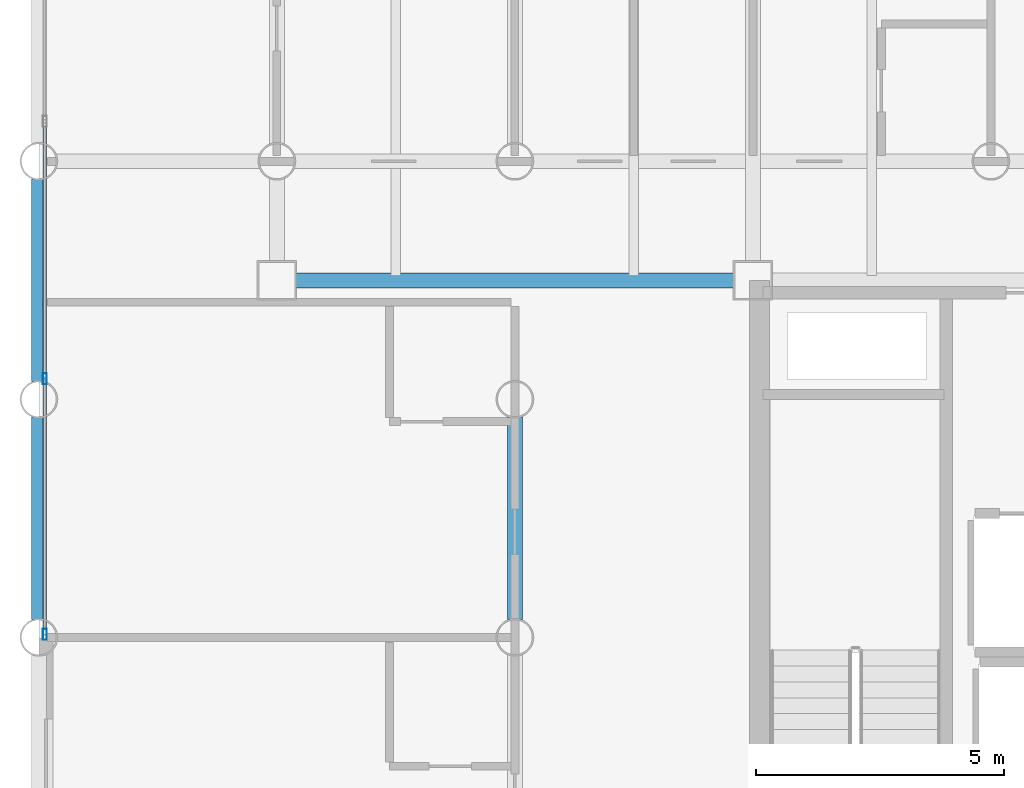
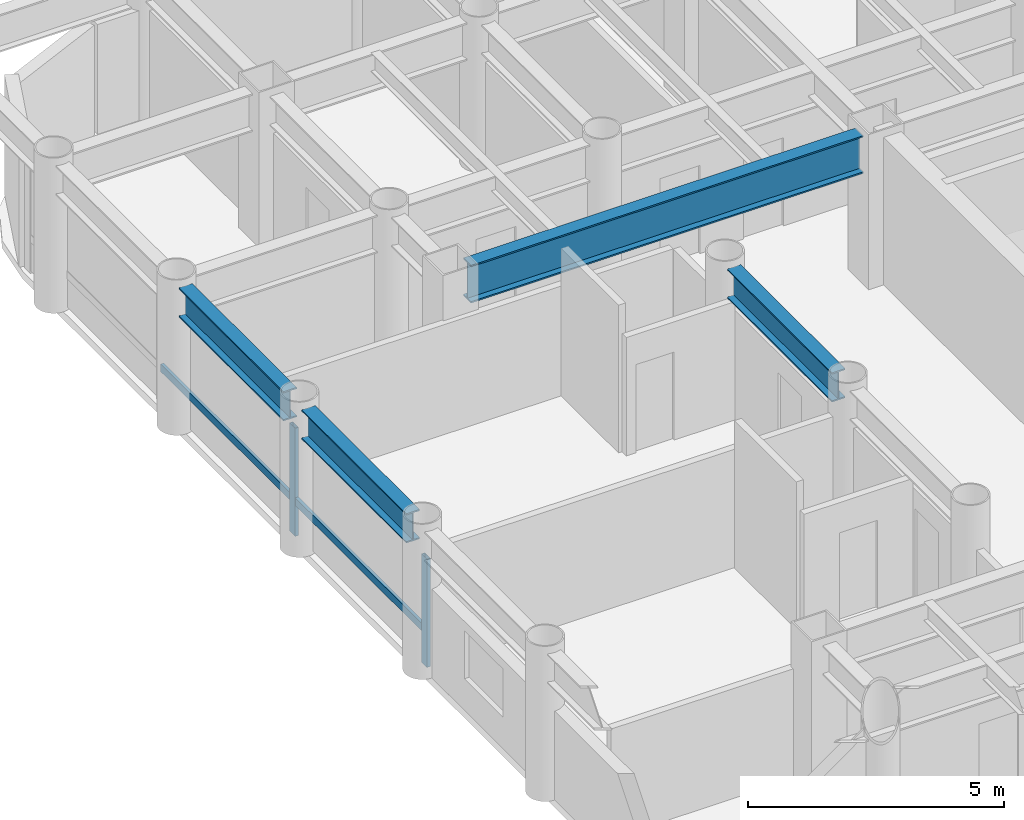
# One storey, part 4 of 20: 4 beams, 4 members, 1 element without a shape of its own.
"""IFC4 building model written with IfcOpenShell, lengths in metres."""

from ifc_helpers import new_model, si_unit, direction, frame, origin, origin_2d, place, context, subcontext, project, spatial, hollow_rectangle, i_section, extrude, material, layer, layer_set, material_profile, profile_set, type_object, element, aggregate, save


model = new_model("IFC4")

# Units and contexts
model_context = context("Model", 3, precision=1e-05, world=origin(), true_north=direction((0.0, 1.0)))
body_context = subcontext(model_context, "Body", "Model", "MODEL_VIEW")
ifc_project = project(units=[si_unit("LENGTHUNIT", "METRE"), si_unit("AREAUNIT", "SQUARE_METRE"), si_unit("VOLUMEUNIT", "CUBIC_METRE"), si_unit("PLANEANGLEUNIT", "RADIAN"), si_unit("MASSUNIT", "GRAM", prefix="KILO")], contexts=[model_context])

# Site, building, storey
site_placement = place(None, origin())
site = spatial("IfcSite", under=ifc_project, at=site_placement, CompositionType="ELEMENT")
building_placement = place(site_placement, origin())
building = spatial("IfcBuilding", under=site, at=building_placement, Name="Kallvorn Hotel Tower", CompositionType="ELEMENT")
storey_placement = place(building_placement, frame((0.0, 0.0, 74.39990234375)))
storey = spatial("IfcBuildingStorey", under=building, at=storey_placement, Name="L17", CompositionType="ELEMENT", Elevation=74.39990234375)

# Beams
ifc_material_1 = material(Name="Structural steel S355JR", Category="steel")
ifc_material_profile_1 = material_profile(ifc_material_1, i_section(OverallWidth=0.300048828125, OverallDepth=0.699951171875, WebThickness=0.01708984375, FlangeThickness=0.031982421875, at=origin_2d()), Name="HE 700 B")
ifc_profile_set_1 = profile_set([ifc_material_profile_1], Name="Structural steel S355JR")
beam_type_1 = type_object("IfcBeamType", Name="BM_HE700B", PredefinedType="BEAM", material=ifc_profile_set_1)
beam_1_placement = place(storey_placement, frame((-28.800048828125, 0.35595703125, 3.170166015625), z_axis=(0.0, 1.0, 0.0), x_axis=(-1.0, 0.0, 0.0)))
element("IfcBeam", 1, at=beam_1_placement, inside=storey, type_object=beam_type_1, Name="L18 Primary Y-Girder 77", PredefinedType="BEAM", context=body_context, shape_type="SweptSolid", body=[
    extrude(i_section(OverallWidth=0.300048828125, OverallDepth=0.699951171875, WebThickness=0.01708984375, FlangeThickness=0.031982421875, at=origin_2d()), origin(), (0.0, 0.0, 1.0), 4.088134765625),
])
beam_2_placement = place(storey_placement, frame((-28.800048828125, 5.156005859375, 3.170166015625), z_axis=(0.0, 1.0, 0.0), x_axis=(-1.0, 0.0, 0.0)))
element("IfcBeam", 2, at=beam_2_placement, inside=storey, type_object=beam_type_1, Name="L18 Primary Y-Girder 78", PredefinedType="BEAM", context=body_context, shape_type="SweptSolid", body=[
    extrude(i_section(OverallWidth=0.300048828125, OverallDepth=0.699951171875, WebThickness=0.01708984375, FlangeThickness=0.031982421875, at=origin_2d()), origin(), (0.0, 0.0, 1.0), 4.087890625),
])
beam_3_placement = place(storey_placement, frame((-19.199951171875, 0.35595703125, 3.170166015625), z_axis=(0.0, 1.0, 0.0), x_axis=(-1.0, 0.0, 0.0)))
element("IfcBeam", 3, at=beam_3_placement, inside=storey, type_object=beam_type_1, Name="L18 Primary Y-Girder 93", PredefinedType="BEAM", context=body_context, shape_type="SweptSolid", body=[
    extrude(i_section(OverallWidth=0.300048828125, OverallDepth=0.699951171875, WebThickness=0.01708984375, FlangeThickness=0.031982421875, at=origin_2d()), origin(), (0.0, 0.0, 1.0), 4.088134765625),
])
ifc_material_2 = material(Name="Structural steel S355JR", Category="steel")
ifc_material_profile_2 = material_profile(ifc_material_2, i_section(OverallWidth=0.300048828125, OverallDepth=0.89990234375, WebThickness=0.0185546875, FlangeThickness=0.034912109375, at=origin_2d()), Name="HE 900 B")
ifc_profile_set_2 = profile_set([ifc_material_profile_2], Name="Structural steel S355JR")
beam_type_2 = type_object("IfcBeamType", Name="BM_HE900B", PredefinedType="BEAM", material=ifc_profile_set_2)
beam_4_placement = place(storey_placement, frame((-23.625, 7.199951171875, 3.070068359375), z_axis=(1.0, 0.0, 0.0), x_axis=(0.0, 1.0, 0.0)))
element("IfcBeam", 4, at=beam_4_placement, inside=storey, type_object=beam_type_2, Name="L18 Primary X-Girder 37", PredefinedType="BEAM", context=body_context, shape_type="SweptSolid", body=[
    extrude(i_section(OverallWidth=0.300048828125, OverallDepth=0.89990234375, WebThickness=0.0185546875, FlangeThickness=0.034912109375, at=origin_2d()), origin(), (0.0, 0.0, 1.0), 8.85009765625),
])

# Curtain wall, members
ifc_material_3 = material(Name="Thermally broken black-anodised aluminium AA 6063-T6", Category="aluminium")
ifc_layer = layer(ifc_material_3, 0.199951171875)
ifc_layer_set = layer_set([ifc_layer], Name="CW_SYS_3_HOTEL_LOW")
curtain_wall_type = type_object("IfcCurtainWallType", Name="CW_SYS_3_HOTEL_LOW", PredefinedType="USERDEFINED", material=ifc_layer_set)
curtain_wall_placement = place(storey_placement, origin())
curtain_wall = element("IfcCurtainWall", 5, at=curtain_wall_placement, inside=storey, type_object=curtain_wall_type, Name="L17 Dark-Glass Curtain Wall CW-L17-WN", ObjectType="UNITISED CURTAIN WALL", PredefinedType="USERDEFINED")
ifc_material_4 = material(Name="Thermally broken black-anodised aluminium AA 6063-T6", Category="aluminium")
ifc_material_profile_3 = material_profile(ifc_material_4, hollow_rectangle(XDim=0.080078125, YDim=0.219970703125, WallThickness=0.0048828125, at=origin_2d()), Name="MUL 220x80")
ifc_profile_set_3 = profile_set([ifc_material_profile_3], Name="Thermally broken black-anodised aluminium AA 6063-T6")
member_type_1 = type_object("IfcMemberType", Name="CW_MULLION_220x80", PredefinedType="MULLION", material=ifc_profile_set_3)
member_1_placement = place(storey_placement, frame((-28.679931640625, 0.06005859375, 0.02001953125), z_axis=(0.0, 0.0, 1.0), x_axis=(1.0, 0.0, 0.0)))
member_1 = element("IfcMember", 6, at=member_1_placement, type_object=member_type_1, Name="CW-L17-WN Mullion 00", PredefinedType="MULLION", context=body_context, shape_type="SweptSolid", body=[
    extrude(hollow_rectangle(XDim=0.080078125, YDim=0.219970703125, WallThickness=0.0048828125, at=origin_2d()), origin(), (0.0, 0.0, 1.0), 2.580078125),
])
member_2_placement = place(storey_placement, frame((-28.679931640625, 5.21337890625, 0.02001953125), z_axis=(0.0, 0.0, 1.0), x_axis=(1.0, 0.0, 0.0)))
member_2 = element("IfcMember", 7, at=member_2_placement, type_object=member_type_1, Name="CW-L17-WN Mullion 01", PredefinedType="MULLION", context=body_context, shape_type="SweptSolid", body=[
    extrude(hollow_rectangle(XDim=0.080078125, YDim=0.219970703125, WallThickness=0.0048828125, at=origin_2d()), origin(), (0.0, 0.0, 1.0), 2.580078125),
])
ifc_material_5 = material(Name="Thermally broken black-anodised aluminium AA 6063-T6", Category="aluminium")
ifc_material_profile_4 = material_profile(ifc_material_5, hollow_rectangle(XDim=0.070068359375, YDim=0.179931640625, WallThickness=0.00390625, at=origin_2d()), Name="TRN 180x70")
ifc_profile_set_4 = profile_set([ifc_material_profile_4], Name="Thermally broken black-anodised aluminium AA 6063-T6")
member_type_2 = type_object("IfcMemberType", Name="CW_TRANSOM_180x70", PredefinedType="USERDEFINED", material=ifc_profile_set_4)
member_3_placement = place(storey_placement, frame((-28.679931640625, 0.06005859375, 0.85009765625), z_axis=(0.0, 1.0, 0.0), x_axis=(-1.0, 0.0, 0.0)))
member_3 = element("IfcMember", 8, at=member_3_placement, type_object=member_type_2, Name="CW-L17-WN Transom 00M", ObjectType="TRANSOM", PredefinedType="USERDEFINED", context=body_context, shape_type="SweptSolid", body=[
    extrude(hollow_rectangle(XDim=0.070068359375, YDim=0.179931640625, WallThickness=0.00390625, at=origin_2d()), origin(), (0.0, 0.0, 1.0), 5.11328125),
])
member_4_placement = place(storey_placement, frame((-28.679931640625, 5.25341796875, 0.85009765625), z_axis=(0.0, 1.0, 0.0), x_axis=(-1.0, 0.0, 0.0)))
member_4 = element("IfcMember", 9, at=member_4_placement, type_object=member_type_2, Name="CW-L17-WN Transom 01M", ObjectType="TRANSOM", PredefinedType="USERDEFINED", context=body_context, shape_type="SweptSolid", body=[
    extrude(hollow_rectangle(XDim=0.070068359375, YDim=0.179931640625, WallThickness=0.00390625, at=origin_2d()), origin(), (0.0, 0.0, 1.0), 5.11328125),
])
aggregate(curtain_wall, [member_1, member_2, member_3, member_4])

save(model, "model.ifc")
